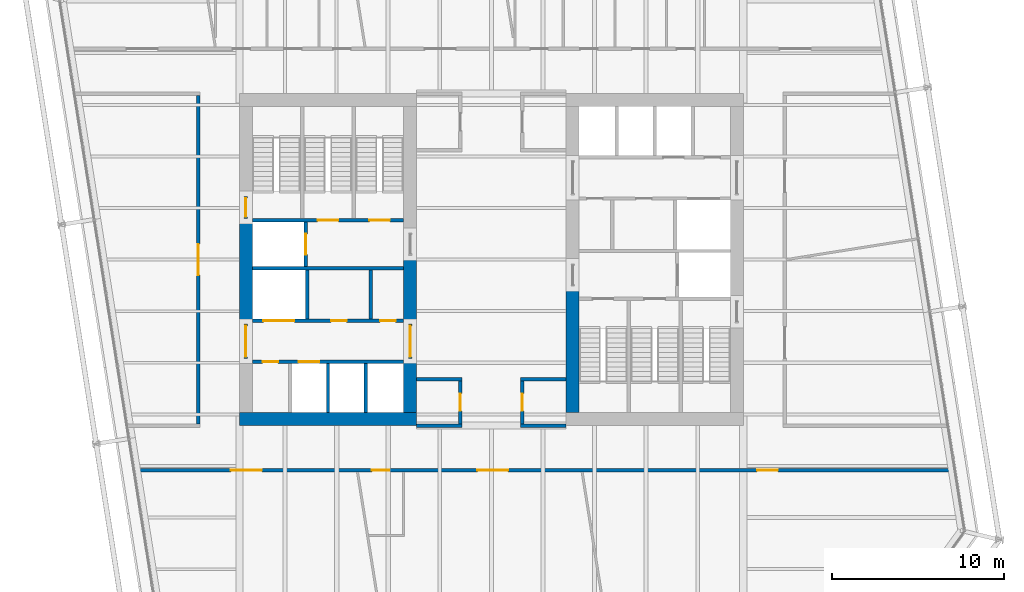
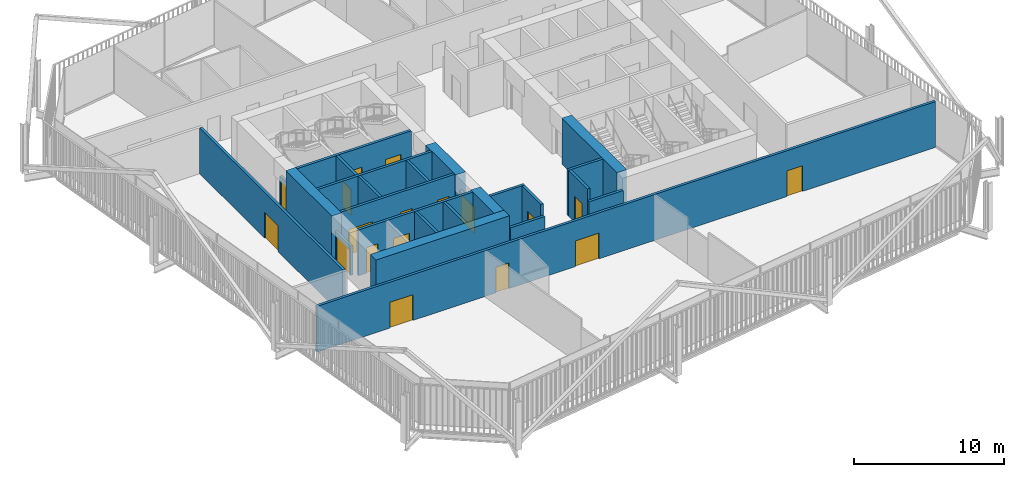
# One storey, part 18 of 22: 25 walls, 18 doors, 18 openings.
"""IFC4 building model written with IfcOpenShell, lengths in metres."""

from ifc_helpers import new_model, si_unit, direction, frame, frame_2d, origin, place, context, subcontext, project, spatial, rectangle, extrude, material, layer, layer_set, type_object, element, fill, save


model = new_model("IFC4")

# Units and contexts
model_context = context("Model", 3, precision=1e-05, world=origin(), true_north=direction((0.0, 1.0)))
body_context = subcontext(model_context, "Body", "Model", "MODEL_VIEW")
ifc_project = project(units=[si_unit("LENGTHUNIT", "METRE"), si_unit("AREAUNIT", "SQUARE_METRE"), si_unit("VOLUMEUNIT", "CUBIC_METRE"), si_unit("PLANEANGLEUNIT", "RADIAN"), si_unit("MASSUNIT", "GRAM", prefix="KILO")], contexts=[model_context])

# Site, building, storey
site_placement = place(None, origin())
site = spatial("IfcSite", under=ifc_project, at=site_placement, CompositionType="ELEMENT")
building_placement = place(site_placement, origin())
building = spatial("IfcBuilding", under=site, at=building_placement, Name="Millrace Tower", CompositionType="ELEMENT")
storey_placement = place(building_placement, frame((0.0, 0.0, 187.800048828125)))
storey = spatial("IfcBuildingStorey", under=building, at=storey_placement, Name="L42", CompositionType="ELEMENT", Elevation=187.800048828125)

# Walls
ifc_material_1 = material(Name="Concrete C70", Category="concrete")
ifc_layer_1 = layer(ifc_material_1, 0.75)
ifc_layer_set_1 = layer_set([ifc_layer_1], Name="Concrete C70")
wall_type_1 = type_object("IfcWallType", Name="Core wall 750 Concrete C70", PredefinedType="SHEAR", material=ifc_layer_set_1)
wall_1_placement = place(storey_placement, frame((-14.64990234375, -9.27490234375, 0.0), z_axis=(0.0, 0.0, 1.0), x_axis=(1.0, 0.0, 0.0)))
element("IfcWall", 1, at=wall_1_placement, inside=storey, type_object=wall_type_1, Name="Core wall W L42", PredefinedType="SHEAR", context=body_context, shape_type="SweptSolid", body=[
    extrude(rectangle(XDim=10.2998046875, YDim=0.75, at=frame_2d((5.14990234375, 0.0))), origin(), (0.0, 0.0, 1.0), 3.739990234375),
])
wall_2_placement = place(storey_placement, frame((-14.27490234375, -3.75, 0.0), z_axis=(0.0, 0.0, 1.0), x_axis=(0.0, 1.0, 0.0)))
element("IfcWall", 2, at=wall_2_placement, inside=storey, type_object=wall_type_1, Name="Core wall W L42", PredefinedType="SHEAR", context=body_context, shape_type="SweptSolid", body=[
    extrude(rectangle(XDim=6.1298828125, YDim=0.75, at=frame_2d((3.06494140625, 0.0))), origin(), (0.0, 0.0, 1.0), 3.739990234375),
])
wall_3_placement = place(storey_placement, frame((-4.72509765625, -8.89990234375, 0.0), z_axis=(0.0, 0.0, 1.0), x_axis=(0.0, 1.0, 0.0)))
element("IfcWall", 3, at=wall_3_placement, inside=storey, type_object=wall_type_1, Name="Core wall W L42", PredefinedType="SHEAR", context=body_context, shape_type="SweptSolid", body=[
    extrude(rectangle(XDim=3.14990234375, YDim=0.75, at=frame_2d((1.574951171875, 0.0))), origin(), (0.0, 0.0, 1.0), 3.739990234375),
])
wall_4_placement = place(storey_placement, frame((-4.72509765625, -3.75, 0.0), z_axis=(0.0, 0.0, 1.0), x_axis=(0.0, 1.0, 0.0)))
element("IfcWall", 4, at=wall_4_placement, inside=storey, type_object=wall_type_1, Name="Core wall W L42", PredefinedType="SHEAR", context=body_context, shape_type="SweptSolid", body=[
    extrude(rectangle(XDim=4.0, YDim=0.75, at=frame_2d((2.0, 0.0))), origin(), (0.0, 0.0, 1.0), 3.739990234375),
])
wall_5_placement = place(storey_placement, frame((4.72509765625, -1.550048828125, 0.0), z_axis=(0.0, 0.0, 1.0), x_axis=(0.0, -1.0, 0.0)))
element("IfcWall", 5, at=wall_5_placement, inside=storey, type_object=wall_type_1, Name="Core wall E L42", PredefinedType="SHEAR", context=body_context, shape_type="SweptSolid", body=[
    extrude(rectangle(XDim=7.349853515625, YDim=0.75, at=frame_2d((3.6748046875, 0.0))), origin(), (0.0, 0.0, 1.0), 3.739990234375),
])

# Wall, openings, doors
ifc_material_2 = material(Name="Masonry partition, fire-rated", Category="masonry")
ifc_layer_2 = layer(ifc_material_2, 0.199951171875)
ifc_layer_set_2 = layer_set([ifc_layer_2], Name="Masonry partition, fire-rated")
wall_type_2 = type_object("IfcWallType", Name="Corridor wall 200", PredefinedType="PARTITIONING", material=ifc_layer_set_2)
wall_6_placement = place(storey_placement, frame((-20.738525390625, -12.25, 0.0), z_axis=(0.0, 0.0, 1.0), x_axis=(1.0, 0.0, 0.0)))
wall_6 = element("IfcWall", 6, at=wall_6_placement, inside=storey, type_object=wall_type_2, Name="Corridor wall L42", PredefinedType="PARTITIONING", context=body_context, shape_type="SweptSolid", body=[
    extrude(rectangle(XDim=47.646484375, YDim=0.199951171875, at=frame_2d((23.8232421875, 0.0))), origin(), (0.0, 0.0, 1.0), 3.739990234375),
])
opening_1_placement = place(wall_6_placement, frame((5.594970703125, 0.0, 0.0)))
opening_1 = element("IfcOpeningElement", 7, at=opening_1_placement, cuts=wall_6, Name="Opening 42-P014", PredefinedType="OPENING", context=body_context, shape_type="SweptSolid", body=[
    extrude(rectangle(XDim=1.800048828125, YDim=2.10009765625, at=frame_2d((0.89990234375, 1.050048828125))), frame((0.0, 0.10986328125, 0.0), z_axis=(0.0, -1.0, 0.0), x_axis=(1.0, 0.0, 0.0)), (0.0, 0.0, 1.0), 0.219970703125),
])
opening_2_placement = place(wall_6_placement, frame((19.919921875, 0.0, 0.0)))
opening_2 = element("IfcOpeningElement", 8, at=opening_2_placement, cuts=wall_6, Name="Opening 42-P015", PredefinedType="OPENING", context=body_context, shape_type="SweptSolid", body=[
    extrude(rectangle(XDim=1.800048828125, YDim=2.10009765625, at=frame_2d((0.89990234375, 1.050048828125))), frame((0.0, 0.10986328125, 0.0), z_axis=(0.0, -1.0, 0.0), x_axis=(1.0, 0.0, 0.0)), (0.0, 0.0, 1.0), 0.219970703125),
])
opening_3_placement = place(wall_6_placement, frame((13.78955078125, 0.0, 0.0)))
opening_3 = element("IfcOpeningElement", 9, at=opening_3_placement, cuts=wall_6, Name="Opening 42-P016", PredefinedType="OPENING", context=body_context, shape_type="SweptSolid", body=[
    extrude(rectangle(XDim=1.0, YDim=2.10009765625, at=frame_2d((0.5, 1.050048828125))), frame((0.0, 0.10986328125, 0.0), z_axis=(0.0, -1.0, 0.0), x_axis=(1.0, 0.0, 0.0)), (0.0, 0.0, 1.0), 0.219970703125),
])
opening_4_placement = place(wall_6_placement, frame((36.197998046875, 0.0, 0.0)))
opening_4 = element("IfcOpeningElement", 10, at=opening_4_placement, cuts=wall_6, Name="Opening 42-P017", PredefinedType="OPENING", context=body_context, shape_type="SweptSolid", body=[
    extrude(rectangle(XDim=1.199951171875, YDim=2.10009765625, at=frame_2d((0.60009765625, 1.050048828125))), frame((0.0, 0.10986328125, 0.0), z_axis=(0.0, -1.0, 0.0), x_axis=(1.0, 0.0, 0.0)), (0.0, 0.0, 1.0), 0.219970703125),
])
ifc_material_3 = material(Name="Steel door set, fire-rated", Category="steel")
door_type_1 = type_object("IfcDoorType", Name="Corridor door 1000 x 2100", OperationType="SINGLE_SWING_LEFT", PredefinedType="DOOR", material=ifc_material_3)
door_1_placement = place(opening_3_placement, frame((1.0, 0.0, 0.0), z_axis=(0.0, 0.0, 1.0), x_axis=(-1.0, 0.0, 0.0)))
door_1 = element("IfcDoor", 11, at=door_1_placement, inside=storey, type_object=door_type_1, Name="Door 42-P016", OperationType="SINGLE_SWING_RIGHT", OverallHeight=2.10009765625, OverallWidth=1.0, PredefinedType="DOOR", context=body_context, shape_type="SweptSolid", body=[
    extrude(rectangle(XDim=1.0, YDim=2.10009765625, at=frame_2d((0.5, 1.050048828125))), frame((0.0, 0.02490234375, 0.0), z_axis=(0.0, -1.0, 0.0), x_axis=(1.0, 0.0, 0.0)), (0.0, 0.0, 1.0), 0.050048828125),
])
fill(opening_3, door_1)
ifc_material_4 = material(Name="Steel door set, fire-rated", Category="steel")
door_type_2 = type_object("IfcDoorType", Name="Corridor door 1200 x 2100", OperationType="SINGLE_SWING_LEFT", PredefinedType="DOOR", material=ifc_material_4)
door_2_placement = place(opening_4_placement, origin())
door_2 = element("IfcDoor", 12, at=door_2_placement, inside=storey, type_object=door_type_2, Name="Door 42-P017", OperationType="SINGLE_SWING_RIGHT", OverallHeight=2.10009765625, OverallWidth=1.199951171875, PredefinedType="DOOR", context=body_context, shape_type="SweptSolid", body=[
    extrude(rectangle(XDim=1.199951171875, YDim=2.10009765625, at=frame_2d((0.60009765625, 1.050048828125))), frame((0.0, 0.02490234375, 0.0), z_axis=(0.0, -1.0, 0.0), x_axis=(1.0, 0.0, 0.0)), (0.0, 0.0, 1.0), 0.050048828125),
])
fill(opening_4, door_2)
ifc_material_5 = material(Name="Steel door set, fire-rated", Category="steel")
door_type_3 = type_object("IfcDoorType", Name="Corridor door 1800 x 2100", OperationType="DOUBLE_DOOR_SINGLE_SWING", PredefinedType="DOOR", material=ifc_material_5)
door_3_placement = place(opening_1_placement, origin())
door_3 = element("IfcDoor", 13, at=door_3_placement, inside=storey, type_object=door_type_3, Name="Door 42-P014", OperationType="DOUBLE_DOOR_SINGLE_SWING", OverallHeight=2.10009765625, OverallWidth=1.800048828125, PredefinedType="DOOR", context=body_context, shape_type="SweptSolid", body=[
    extrude(rectangle(XDim=1.800048828125, YDim=2.10009765625, at=frame_2d((0.89990234375, 1.050048828125))), frame((0.0, 0.02490234375, 0.0), z_axis=(0.0, -1.0, 0.0), x_axis=(1.0, 0.0, 0.0)), (0.0, 0.0, 1.0), 0.050048828125),
])
fill(opening_1, door_3)
door_4_placement = place(opening_2_placement, frame((1.800048828125, 0.0, 0.0), z_axis=(0.0, 0.0, 1.0), x_axis=(-1.0, 0.0, 0.0)))
door_4 = element("IfcDoor", 14, at=door_4_placement, inside=storey, type_object=door_type_3, Name="Door 42-P015", OperationType="DOUBLE_DOOR_SINGLE_SWING", OverallHeight=2.10009765625, OverallWidth=1.800048828125, PredefinedType="DOOR", context=body_context, shape_type="SweptSolid", body=[
    extrude(rectangle(XDim=1.800048828125, YDim=2.10009765625, at=frame_2d((0.89990234375, 1.050048828125))), frame((0.0, 0.02490234375, 0.0), z_axis=(0.0, -1.0, 0.0), x_axis=(1.0, 0.0, 0.0)), (0.0, 0.0, 1.0), 0.050048828125),
])
fill(opening_2, door_4)

# Walls
for number, where, z_axis, x_axis, name in (
    (15, (-4.35009765625, -9.64990234375, 0.0), (0.0, 0.0, 1.0), (1.0, 0.0, 0.0), "Corridor wall L42"),
    (16, (1.699951171875, -9.64990234375, 0.0), (0.0, 0.0, 1.0), (1.0, 0.0, 0.0), "Corridor wall L42"),
):
    element("IfcWall", number, at=place(storey_placement, frame(where, z_axis=z_axis, x_axis=x_axis)), inside=storey, type_object=wall_type_2, Name=name, PredefinedType="PARTITIONING", context=body_context, shape_type="SweptSolid", body=[
        extrude(rectangle(XDim=2.650146484375, YDim=0.199951171875, at=frame_2d((1.3251953125, 0.0))), origin(), (0.0, 0.0, 1.0), 2.812744140625),
    ])
for number, where, z_axis, x_axis, name in (
    (17, (-4.35009765625, -6.949951171875, 0.0), (0.0, 0.0, 1.0), (1.0, 0.0, 0.0), "Corridor wall L42"),
    (18, (1.699951171875, -6.949951171875, 0.0), (0.0, 0.0, 1.0), (1.0, 0.0, 0.0), "Corridor wall L42"),
):
    element("IfcWall", number, at=place(storey_placement, frame(where, z_axis=z_axis, x_axis=x_axis)), inside=storey, type_object=wall_type_2, Name=name, PredefinedType="PARTITIONING", context=body_context, shape_type="SweptSolid", body=[
        extrude(rectangle(XDim=2.650146484375, YDim=0.199951171875, at=frame_2d((1.3251953125, 0.0))), origin(), (0.0, 0.0, 1.0), 3.739990234375),
    ])

# Wall, opening, door
wall_7_placement = place(storey_placement, frame((1.800048828125, -9.550048828125, 0.0), z_axis=(0.0, 0.0, 1.0), x_axis=(0.0, 1.0, 0.0)))
wall_7 = element("IfcWall", 19, at=wall_7_placement, inside=storey, type_object=wall_type_2, Name="Corridor wall L42", PredefinedType="PARTITIONING", context=body_context, shape_type="SweptSolid", body=[
    extrude(rectangle(XDim=2.5, YDim=0.199951171875, at=frame_2d((1.25, 0.0))), origin(), (0.0, 0.0, 1.0), 3.739990234375),
])
opening_5_placement = place(wall_7_placement, frame((0.75, 0.0, 0.0)))
opening_5 = element("IfcOpeningElement", 20, at=opening_5_placement, cuts=wall_7, Name="Opening 42-P004", PredefinedType="OPENING", context=body_context, shape_type="SweptSolid", body=[
    extrude(rectangle(XDim=1.0, YDim=2.10009765625, at=frame_2d((0.5, 1.050048828125))), frame((0.0, 0.10986328125, 0.0), z_axis=(0.0, -1.0, 0.0), x_axis=(1.0, 0.0, 0.0)), (0.0, 0.0, 1.0), 0.219970703125),
])
door_5_placement = place(opening_5_placement, frame((1.0, 0.0, 0.0), z_axis=(0.0, 0.0, 1.0), x_axis=(-1.0, 0.0, 0.0)))
door_5 = element("IfcDoor", 21, at=door_5_placement, inside=storey, type_object=door_type_1, Name="Door 42-P004", OperationType="SINGLE_SWING_LEFT", OverallHeight=2.10009765625, OverallWidth=1.0, PredefinedType="DOOR", context=body_context, shape_type="SweptSolid", body=[
    extrude(rectangle(XDim=1.0, YDim=2.10009765625, at=frame_2d((0.5, 1.050048828125))), frame((0.0, 0.02490234375, 0.0), z_axis=(0.0, -1.0, 0.0), x_axis=(1.0, 0.0, 0.0)), (0.0, 0.0, 1.0), 0.050048828125),
])
fill(opening_5, door_5)

wall_8_placement = place(storey_placement, frame((-1.800048828125, -9.550048828125, 0.0), z_axis=(0.0, 0.0, 1.0), x_axis=(0.0, 1.0, 0.0)))
wall_8 = element("IfcWall", 22, at=wall_8_placement, inside=storey, type_object=wall_type_2, Name="Corridor wall L42", PredefinedType="PARTITIONING", context=body_context, shape_type="SweptSolid", body=[
    extrude(rectangle(XDim=2.5, YDim=0.199951171875, at=frame_2d((1.25, 0.0))), origin(), (0.0, 0.0, 1.0), 3.739990234375),
])
opening_6_placement = place(wall_8_placement, frame((0.75, 0.0, 0.0)))
opening_6 = element("IfcOpeningElement", 23, at=opening_6_placement, cuts=wall_8, Name="Opening 42-P003", PredefinedType="OPENING", context=body_context, shape_type="SweptSolid", body=[
    extrude(rectangle(XDim=1.0, YDim=2.10009765625, at=frame_2d((0.5, 1.050048828125))), frame((0.0, 0.10986328125, 0.0), z_axis=(0.0, -1.0, 0.0), x_axis=(1.0, 0.0, 0.0)), (0.0, 0.0, 1.0), 0.219970703125),
])
door_6_placement = place(opening_6_placement, origin())
door_6 = element("IfcDoor", 24, at=door_6_placement, inside=storey, type_object=door_type_1, Name="Door 42-P003", OperationType="SINGLE_SWING_RIGHT", OverallHeight=2.10009765625, OverallWidth=1.0, PredefinedType="DOOR", context=body_context, shape_type="SweptSolid", body=[
    extrude(rectangle(XDim=1.0, YDim=2.10009765625, at=frame_2d((0.5, 1.050048828125))), frame((0.0, 0.02490234375, 0.0), z_axis=(0.0, -1.0, 0.0), x_axis=(1.0, 0.0, 0.0)), (0.0, 0.0, 1.0), 0.050048828125),
])
fill(opening_6, door_6)

wall_9_placement = place(storey_placement, frame((-17.050048828125, -9.550048828125, 0.0), z_axis=(0.0, 0.0, 1.0), x_axis=(0.0, 1.0, 0.0)))
wall_9 = element("IfcWall", 25, at=wall_9_placement, inside=storey, type_object=wall_type_2, Name="Corridor wall L42", PredefinedType="PARTITIONING", context=body_context, shape_type="SweptSolid", body=[
    extrude(rectangle(XDim=19.10009765625, YDim=0.199951171875, at=frame_2d((9.550048828125, 0.0))), origin(), (0.0, 0.0, 1.0), 3.739990234375),
])
opening_7_placement = place(wall_9_placement, frame((8.64990234375, 0.0, 0.0)))
opening_7 = element("IfcOpeningElement", 26, at=opening_7_placement, cuts=wall_9, Name="Opening 42-P018", PredefinedType="OPENING", context=body_context, shape_type="SweptSolid", body=[
    extrude(rectangle(XDim=1.800048828125, YDim=2.10009765625, at=frame_2d((0.89990234375, 1.050048828125))), frame((0.0, 0.10986328125, 0.0), z_axis=(0.0, -1.0, 0.0), x_axis=(1.0, 0.0, 0.0)), (0.0, 0.0, 1.0), 0.219970703125),
])
door_7_placement = place(opening_7_placement, origin())
door_7 = element("IfcDoor", 27, at=door_7_placement, inside=storey, type_object=door_type_3, Name="Door 42-P018", OperationType="DOUBLE_DOOR_SINGLE_SWING", OverallHeight=2.10009765625, OverallWidth=1.800048828125, PredefinedType="DOOR", context=body_context, shape_type="SweptSolid", body=[
    extrude(rectangle(XDim=1.800048828125, YDim=2.10009765625, at=frame_2d((0.89990234375, 1.050048828125))), frame((0.0, 0.02490234375, 0.0), z_axis=(0.0, -1.0, 0.0), x_axis=(1.0, 0.0, 0.0)), (0.0, 0.0, 1.0), 0.050048828125),
])
fill(opening_7, door_7)

# Wall, openings, doors
ifc_material_6 = material(Name="Masonry partition, fire-rated", Category="masonry")
ifc_layer_3 = layer(ifc_material_6, 0.199951171875)
ifc_layer_set_3 = layer_set([ifc_layer_3], Name="Masonry partition, fire-rated")
wall_type_3 = type_object("IfcWallType", Name="Lift shaft wall 200", PredefinedType="PARTITIONING", material=ifc_layer_set_3)
wall_10_placement = place(storey_placement, frame((-13.89990234375, -5.949951171875, 0.0), z_axis=(0.0, 0.0, 1.0), x_axis=(1.0, 0.0, 0.0)))
wall_10 = element("IfcWall", 28, at=wall_10_placement, inside=storey, type_object=wall_type_3, Name="Lift shaft wall W L42", PredefinedType="PARTITIONING", context=body_context, shape_type="SweptSolid", body=[
    extrude(rectangle(XDim=8.7998046875, YDim=0.199951171875, at=frame_2d((4.39990234375, 0.0))), origin(), (0.0, 0.0, 1.0), 3.739990234375),
])
opening_8_placement = place(wall_10_placement, frame((2.699951171875, 0.0, 0.0)))
opening_8 = element("IfcOpeningElement", 29, at=opening_8_placement, cuts=wall_10, Name="Opening 42-LD02", PredefinedType="OPENING", context=body_context, shape_type="SweptSolid", body=[
    extrude(rectangle(XDim=1.199951171875, YDim=2.10009765625, at=frame_2d((0.60009765625, 1.050048828125))), frame((0.0, 0.10986328125, 0.0), z_axis=(0.0, -1.0, 0.0), x_axis=(1.0, 0.0, 0.0)), (0.0, 0.0, 1.0), 0.219970703125),
])
opening_9_placement = place(wall_10_placement, frame((0.60009765625, 0.0, 0.0)))
opening_9 = element("IfcOpeningElement", 30, at=opening_9_placement, cuts=wall_10, Name="Opening 42-C005", PredefinedType="OPENING", context=body_context, shape_type="SweptSolid", body=[
    extrude(rectangle(XDim=0.89990234375, YDim=2.10009765625, at=frame_2d((0.449951171875, 1.050048828125))), frame((0.0, 0.10986328125, 0.0), z_axis=(0.0, -1.0, 0.0), x_axis=(1.0, 0.0, 0.0)), (0.0, 0.0, 1.0), 0.219970703125),
])
ifc_material_7 = material(Name="Stainless steel, fire-rated", Category="steel")
door_type_4 = type_object("IfcDoorType", Name="Lift landing door 1200 x 2100", OperationType="DOUBLE_DOOR_SLIDING", PredefinedType="DOOR", material=ifc_material_7)
door_8_placement = place(opening_8_placement, origin())
door_8 = element("IfcDoor", 31, at=door_8_placement, inside=storey, type_object=door_type_4, Name="Lift landing door LF2 L42", OperationType="DOUBLE_DOOR_SLIDING", OverallHeight=2.10009765625, OverallWidth=1.199951171875, PredefinedType="DOOR", context=body_context, shape_type="SweptSolid", body=[
    extrude(rectangle(XDim=1.199951171875, YDim=2.10009765625, at=frame_2d((0.60009765625, 1.050048828125))), frame((0.0, 0.02490234375, 0.0), z_axis=(0.0, -1.0, 0.0), x_axis=(1.0, 0.0, 0.0)), (0.0, 0.0, 1.0), 0.050048828125),
])
fill(opening_8, door_8)
ifc_material_8 = material(Name="Steel door, fire-rated", Category="steel")
door_type_5 = type_object("IfcDoorType", Name="Service room door 900 x 2100", OperationType="SINGLE_SWING_LEFT", PredefinedType="DOOR", material=ifc_material_8)
door_9_placement = place(opening_9_placement, frame((0.89990234375, 0.0, 0.0), z_axis=(0.0, 0.0, 1.0), x_axis=(-1.0, 0.0, 0.0)))
door_9 = element("IfcDoor", 32, at=door_9_placement, inside=storey, type_object=door_type_5, Name="Service room door 42-C005", OperationType="SINGLE_SWING_RIGHT", OverallHeight=2.10009765625, OverallWidth=0.89990234375, PredefinedType="DOOR", context=body_context, shape_type="SweptSolid", body=[
    extrude(rectangle(XDim=0.89990234375, YDim=2.10009765625, at=frame_2d((0.449951171875, 1.050048828125))), frame((0.0, 0.02490234375, 0.0), z_axis=(0.0, -1.0, 0.0), x_axis=(1.0, 0.0, 0.0)), (0.0, 0.0, 1.0), 0.050048828125),
])
fill(opening_9, door_9)

wall_11_placement = place(storey_placement, frame((-13.89990234375, -3.550048828125, 0.0), z_axis=(0.0, 0.0, 1.0), x_axis=(1.0, 0.0, 0.0)))
wall_11 = element("IfcWall", 33, at=wall_11_placement, inside=storey, type_object=wall_type_3, Name="Lift shaft wall W L42", PredefinedType="PARTITIONING", context=body_context, shape_type="SweptSolid", body=[
    extrude(rectangle(XDim=8.7998046875, YDim=0.199951171875, at=frame_2d((4.39990234375, 0.0))), origin(), (0.0, 0.0, 1.0), 3.739990234375),
])
opening_10_placement = place(wall_11_placement, frame((0.64990234375, 0.0, 0.0)))
opening_10 = element("IfcOpeningElement", 34, at=opening_10_placement, cuts=wall_11, Name="Opening 42-LD05", PredefinedType="OPENING", context=body_context, shape_type="SweptSolid", body=[
    extrude(rectangle(XDim=1.800048828125, YDim=2.10009765625, at=frame_2d((0.89990234375, 1.050048828125))), frame((0.0, 0.10986328125, 0.0), z_axis=(0.0, -1.0, 0.0), x_axis=(1.0, 0.0, 0.0)), (0.0, 0.0, 1.0), 0.219970703125),
])
opening_11_placement = place(wall_11_placement, frame((4.58740234375, 0.0, 0.0)))
opening_11 = element("IfcOpeningElement", 35, at=opening_11_placement, cuts=wall_11, Name="Opening 42-C006", PredefinedType="OPENING", context=body_context, shape_type="SweptSolid", body=[
    extrude(rectangle(XDim=0.89990234375, YDim=2.10009765625, at=frame_2d((0.449951171875, 1.050048828125))), frame((0.0, 0.10986328125, 0.0), z_axis=(0.0, -1.0, 0.0), x_axis=(1.0, 0.0, 0.0)), (0.0, 0.0, 1.0), 0.219970703125),
])
opening_12_placement = place(wall_11_placement, frame((7.4375, 0.0, 0.0)))
opening_12 = element("IfcOpeningElement", 36, at=opening_12_placement, cuts=wall_11, Name="Opening 42-C007", PredefinedType="OPENING", context=body_context, shape_type="SweptSolid", body=[
    extrude(rectangle(XDim=0.89990234375, YDim=2.10009765625, at=frame_2d((0.449951171875, 1.050048828125))), frame((0.0, 0.10986328125, 0.0), z_axis=(0.0, -1.0, 0.0), x_axis=(1.0, 0.0, 0.0)), (0.0, 0.0, 1.0), 0.219970703125),
])
ifc_material_9 = material(Name="Stainless steel, fire-rated", Category="steel")
door_type_6 = type_object("IfcDoorType", Name="Lift landing door 1800 x 2100", OperationType="DOUBLE_DOOR_SLIDING", PredefinedType="DOOR", material=ifc_material_9)
door_10_placement = place(opening_10_placement, origin())
door_10 = element("IfcDoor", 37, at=door_10_placement, inside=storey, type_object=door_type_6, Name="Lift landing door LF5 L42", OperationType="DOUBLE_DOOR_SLIDING", OverallHeight=2.10009765625, OverallWidth=1.800048828125, PredefinedType="DOOR", context=body_context, shape_type="SweptSolid", body=[
    extrude(rectangle(XDim=1.800048828125, YDim=2.10009765625, at=frame_2d((0.89990234375, 1.050048828125))), frame((0.0, 0.02490234375, 0.0), z_axis=(0.0, -1.0, 0.0), x_axis=(1.0, 0.0, 0.0)), (0.0, 0.0, 1.0), 0.050048828125),
])
fill(opening_10, door_10)
door_11_placement = place(opening_11_placement, origin())
door_11 = element("IfcDoor", 38, at=door_11_placement, inside=storey, type_object=door_type_5, Name="Service room door 42-C006", OperationType="SINGLE_SWING_RIGHT", OverallHeight=2.10009765625, OverallWidth=0.89990234375, PredefinedType="DOOR", context=body_context, shape_type="SweptSolid", body=[
    extrude(rectangle(XDim=0.89990234375, YDim=2.10009765625, at=frame_2d((0.449951171875, 1.050048828125))), frame((0.0, 0.02490234375, 0.0), z_axis=(0.0, -1.0, 0.0), x_axis=(1.0, 0.0, 0.0)), (0.0, 0.0, 1.0), 0.050048828125),
])
fill(opening_11, door_11)
door_12_placement = place(opening_12_placement, origin())
door_12 = element("IfcDoor", 39, at=door_12_placement, inside=storey, type_object=door_type_5, Name="Service room door 42-C007", OperationType="SINGLE_SWING_RIGHT", OverallHeight=2.10009765625, OverallWidth=0.89990234375, PredefinedType="DOOR", context=body_context, shape_type="SweptSolid", body=[
    extrude(rectangle(XDim=0.89990234375, YDim=2.10009765625, at=frame_2d((0.449951171875, 1.050048828125))), frame((0.0, 0.02490234375, 0.0), z_axis=(0.0, -1.0, 0.0), x_axis=(1.0, 0.0, 0.0)), (0.0, 0.0, 1.0), 0.050048828125),
])
fill(opening_12, door_12)

# Wall
wall_12_placement = place(storey_placement, frame((-13.89990234375, -0.5, 0.0), z_axis=(0.0, 0.0, 1.0), x_axis=(1.0, 0.0, 0.0)))
element("IfcWall", 40, at=wall_12_placement, inside=storey, type_object=wall_type_3, Name="Lift shaft wall W L42", PredefinedType="PARTITIONING", context=body_context, shape_type="SweptSolid", body=[
    extrude(rectangle(XDim=8.7998046875, YDim=0.199951171875, at=frame_2d((4.39990234375, 0.0))), origin(), (0.0, 0.0, 1.0), 3.739990234375),
])

# Wall, opening, door
wall_13_placement = place(storey_placement, frame((-10.800048828125, -0.39990234375, 0.0), z_axis=(0.0, 0.0, 1.0), x_axis=(0.0, 1.0, 0.0)))
wall_13 = element("IfcWall", 41, at=wall_13_placement, inside=storey, type_object=wall_type_3, Name="Lift shaft wall W L42", PredefinedType="PARTITIONING", context=body_context, shape_type="SweptSolid", body=[
    extrude(rectangle(XDim=2.579833984375, YDim=0.199951171875, at=frame_2d((1.2900390625, 0.0))), origin(), (0.0, 0.0, 1.0), 3.739990234375),
])
opening_13_placement = place(wall_13_placement, frame((0.68994140625, 0.0, 0.0)))
opening_13 = element("IfcOpeningElement", 42, at=opening_13_placement, cuts=wall_13, Name="Opening 42-LD08", PredefinedType="OPENING", context=body_context, shape_type="SweptSolid", body=[
    extrude(rectangle(XDim=1.199951171875, YDim=2.10009765625, at=frame_2d((0.60009765625, 1.050048828125))), frame((0.0, 0.10986328125, 0.0), z_axis=(0.0, -1.0, 0.0), x_axis=(1.0, 0.0, 0.0)), (0.0, 0.0, 1.0), 0.219970703125),
])
door_13_placement = place(opening_13_placement, origin())
door_13 = element("IfcDoor", 43, at=door_13_placement, inside=storey, type_object=door_type_4, Name="Lift landing door LF8 L42", OperationType="DOUBLE_DOOR_SLIDING", OverallHeight=2.10009765625, OverallWidth=1.199951171875, PredefinedType="DOOR", context=body_context, shape_type="SweptSolid", body=[
    extrude(rectangle(XDim=1.199951171875, YDim=2.10009765625, at=frame_2d((0.60009765625, 1.050048828125))), frame((0.0, 0.02490234375, 0.0), z_axis=(0.0, -1.0, 0.0), x_axis=(1.0, 0.0, 0.0)), (0.0, 0.0, 1.0), 0.050048828125),
])
fill(opening_13, door_13)

# Walls
for number, where, z_axis, x_axis, name in (
    (44, (-9.5, -8.89990234375, 0.0), (0.0, 0.0, 1.0), (0.0, 1.0, 0.0), "Lift shaft wall W L42"),
    (45, (-7.300048828125, -8.89990234375, 0.0), (0.0, 0.0, 1.0), (0.0, 1.0, 0.0), "Lift shaft wall W L42"),
    (46, (-10.699951171875, -3.449951171875, 0.0), (0.0, 0.0, 1.0), (0.0, 1.0, 0.0), "Lift shaft wall W L42"),
):
    element("IfcWall", number, at=place(storey_placement, frame(where, z_axis=z_axis, x_axis=x_axis)), inside=storey, type_object=wall_type_3, Name=name, PredefinedType="PARTITIONING", context=body_context, shape_type="SweptSolid", body=[
        extrude(rectangle(XDim=2.849853515625, YDim=0.199951171875, at=frame_2d((1.4248046875, 0.0))), origin(), (0.0, 0.0, 1.0), 3.739990234375),
    ])

# Wall, opening, door
ifc_material_10 = material(Name="Masonry partition, fire-rated", Category="masonry")
ifc_layer_4 = layer(ifc_material_10, 0.199951171875)
ifc_layer_set_4 = layer_set([ifc_layer_4], Name="Masonry partition, fire-rated")
wall_type_4 = type_object("IfcWallType", Name="Lobby wall 200", PredefinedType="PARTITIONING", material=ifc_layer_set_4)
wall_14_placement = place(storey_placement, frame((-14.27490234375, -5.75, 0.0), z_axis=(0.0, 0.0, 1.0), x_axis=(0.0, 1.0, 0.0)))
wall_14 = element("IfcWall", 47, at=wall_14_placement, inside=storey, type_object=wall_type_4, Name="Lobby wall W L42", PredefinedType="PARTITIONING", context=body_context, shape_type="SweptSolid", body=[
    extrude(rectangle(XDim=2.0, YDim=0.199951171875, at=frame_2d((1.0, 0.0))), origin(), (0.0, 0.0, 1.0), 2.39990234375),
])
opening_14_placement = place(wall_14_placement, frame((0.10009765625, 0.0, 0.0)))
opening_14 = element("IfcOpeningElement", 48, at=opening_14_placement, cuts=wall_14, Name="Opening 42-C001", PredefinedType="OPENING", context=body_context, shape_type="SweptSolid", body=[
    extrude(rectangle(XDim=1.800048828125, YDim=2.10009765625, at=frame_2d((0.89990234375, 1.050048828125))), frame((0.0, 0.10986328125, 0.0), z_axis=(0.0, -1.0, 0.0), x_axis=(1.0, 0.0, 0.0)), (0.0, 0.0, 1.0), 0.219970703125),
])
ifc_material_11 = material(Name="Steel door, fire-rated", Category="steel")
door_type_7 = type_object("IfcDoorType", Name="Lobby door 1800 x 2100", OperationType="DOUBLE_DOOR_SINGLE_SWING", PredefinedType="DOOR", material=ifc_material_11)
door_14_placement = place(opening_14_placement, origin())
door_14 = element("IfcDoor", 49, at=door_14_placement, inside=storey, type_object=door_type_7, Name="Lobby door 42-C001", OperationType="DOUBLE_DOOR_SINGLE_SWING", OverallHeight=2.10009765625, OverallWidth=1.800048828125, PredefinedType="DOOR", context=body_context, shape_type="SweptSolid", body=[
    extrude(rectangle(XDim=1.800048828125, YDim=2.10009765625, at=frame_2d((0.89990234375, 1.050048828125))), frame((0.0, 0.02490234375, 0.0), z_axis=(0.0, -1.0, 0.0), x_axis=(1.0, 0.0, 0.0)), (0.0, 0.0, 1.0), 0.050048828125),
])
fill(opening_14, door_14)

wall_15_placement = place(storey_placement, frame((-4.72509765625, -5.75, 0.0), z_axis=(0.0, 0.0, 1.0), x_axis=(0.0, 1.0, 0.0)))
wall_15 = element("IfcWall", 50, at=wall_15_placement, inside=storey, type_object=wall_type_4, Name="Lobby wall W L42", PredefinedType="PARTITIONING", context=body_context, shape_type="SweptSolid", body=[
    extrude(rectangle(XDim=2.0, YDim=0.199951171875, at=frame_2d((1.0, 0.0))), origin(), (0.0, 0.0, 1.0), 2.39990234375),
])
opening_15_placement = place(wall_15_placement, frame((0.10009765625, 0.0, 0.0)))
opening_15 = element("IfcOpeningElement", 51, at=opening_15_placement, cuts=wall_15, Name="Opening 42-C003", PredefinedType="OPENING", context=body_context, shape_type="SweptSolid", body=[
    extrude(rectangle(XDim=1.800048828125, YDim=2.10009765625, at=frame_2d((0.89990234375, 1.050048828125))), frame((0.0, 0.10986328125, 0.0), z_axis=(0.0, -1.0, 0.0), x_axis=(1.0, 0.0, 0.0)), (0.0, 0.0, 1.0), 0.219970703125),
])
door_15_placement = place(opening_15_placement, origin())
door_15 = element("IfcDoor", 52, at=door_15_placement, inside=storey, type_object=door_type_7, Name="Lobby door 42-C003", OperationType="DOUBLE_DOOR_SINGLE_SWING", OverallHeight=2.10009765625, OverallWidth=1.800048828125, PredefinedType="DOOR", context=body_context, shape_type="SweptSolid", body=[
    extrude(rectangle(XDim=1.800048828125, YDim=2.10009765625, at=frame_2d((0.89990234375, 1.050048828125))), frame((0.0, 0.02490234375, 0.0), z_axis=(0.0, -1.0, 0.0), x_axis=(1.0, 0.0, 0.0)), (0.0, 0.0, 1.0), 0.050048828125),
])
fill(opening_15, door_15)

# Wall
ifc_material_12 = material(Name="Masonry partition, fire-rated", Category="masonry")
ifc_layer_5 = layer(ifc_material_12, 0.199951171875)
ifc_layer_set_5 = layer_set([ifc_layer_5], Name="Masonry partition, fire-rated")
wall_type_5 = type_object("IfcWallType", Name="Room partition 200", PredefinedType="PARTITIONING", material=ifc_layer_set_5)
wall_16_placement = place(storey_placement, frame((-7.02490234375, -3.449951171875, 0.0), z_axis=(0.0, 0.0, 1.0), x_axis=(0.0, 1.0, 0.0)))
element("IfcWall", 53, at=wall_16_placement, inside=storey, type_object=wall_type_5, Name="Room partition W L42", PredefinedType="PARTITIONING", context=body_context, shape_type="SweptSolid", body=[
    extrude(rectangle(XDim=2.849853515625, YDim=0.199951171875, at=frame_2d((1.4248046875, 0.0))), origin(), (0.0, 0.0, 1.0), 3.739990234375),
])

# Wall, opening, door
ifc_material_13 = material(Name="Concrete C40", Category="concrete")
ifc_layer_6 = layer(ifc_material_13, 0.199951171875)
ifc_layer_set_6 = layer_set([ifc_layer_6], Name="Concrete C40")
wall_type_6 = type_object("IfcWallType", Name="Stair enclosure wall 200 Concrete C40", PredefinedType="SHEAR", material=ifc_layer_set_6)
wall_17_placement = place(storey_placement, frame((-14.27490234375, 2.3798828125, 0.0), z_axis=(0.0, 0.0, 1.0), x_axis=(0.0, 1.0, 0.0)))
wall_17 = element("IfcWall", 54, at=wall_17_placement, inside=storey, type_object=wall_type_6, Name="Stair enclosure wall W L42", PredefinedType="SHEAR", context=body_context, shape_type="SweptSolid", body=[
    extrude(rectangle(XDim=1.300048828125, YDim=0.199951171875, at=frame_2d((0.64990234375, 0.0))), origin(), (0.0, 0.0, 1.0), 2.39990234375),
])
opening_16_placement = place(wall_17_placement, frame((0.10009765625, 0.0, 0.0)))
opening_16 = element("IfcOpeningElement", 55, at=opening_16_placement, cuts=wall_17, Name="Opening 42-C002", PredefinedType="OPENING", context=body_context, shape_type="SweptSolid", body=[
    extrude(rectangle(XDim=1.10009765625, YDim=2.10009765625, at=frame_2d((0.550048828125, 1.050048828125))), frame((0.0, 0.10986328125, 0.0), z_axis=(0.0, -1.0, 0.0), x_axis=(1.0, 0.0, 0.0)), (0.0, 0.0, 1.0), 0.219970703125),
])
ifc_material_14 = material(Name="Steel door, fire-rated", Category="steel")
door_type_8 = type_object("IfcDoorType", Name="Stair door 1100 x 2100", OperationType="SINGLE_SWING_LEFT", PredefinedType="DOOR", material=ifc_material_14)
door_16_placement = place(opening_16_placement, origin())
door_16 = element("IfcDoor", 56, at=door_16_placement, inside=storey, type_object=door_type_8, Name="Stair door 42-C002", OperationType="SINGLE_SWING_RIGHT", OverallHeight=2.10009765625, OverallWidth=1.10009765625, PredefinedType="DOOR", context=body_context, shape_type="SweptSolid", body=[
    extrude(rectangle(XDim=1.10009765625, YDim=2.10009765625, at=frame_2d((0.550048828125, 1.050048828125))), frame((0.0, 0.02490234375, 0.0), z_axis=(0.0, -1.0, 0.0), x_axis=(1.0, 0.0, 0.0)), (0.0, 0.0, 1.0), 0.050048828125),
])
fill(opening_16, door_16)

# Wall, openings, doors
wall_18_placement = place(storey_placement, frame((-13.89990234375, 2.280029296875, 0.0), z_axis=(0.0, 0.0, 1.0), x_axis=(1.0, 0.0, 0.0)))
wall_18 = element("IfcWall", 57, at=wall_18_placement, inside=storey, type_object=wall_type_6, Name="Stair enclosure wall W L42", PredefinedType="SHEAR", context=body_context, shape_type="SweptSolid", body=[
    extrude(rectangle(XDim=8.7998046875, YDim=0.199951171875, at=frame_2d((4.39990234375, 0.0))), origin(), (0.0, 0.0, 1.0), 3.739990234375),
])
opening_17_placement = place(wall_18_placement, frame((3.800048828125, 0.0, 0.0)))
opening_17 = element("IfcOpeningElement", 58, at=opening_17_placement, cuts=wall_18, Name="Opening 42-C008", PredefinedType="OPENING", context=body_context, shape_type="SweptSolid", body=[
    extrude(rectangle(XDim=1.199951171875, YDim=2.10009765625, at=frame_2d((0.60009765625, 1.050048828125))), frame((0.0, 0.10986328125, 0.0), z_axis=(0.0, -1.0, 0.0), x_axis=(1.0, 0.0, 0.0)), (0.0, 0.0, 1.0), 0.219970703125),
])
opening_18_placement = place(wall_18_placement, frame((6.800048828125, 0.0, 0.0)))
opening_18 = element("IfcOpeningElement", 59, at=opening_18_placement, cuts=wall_18, Name="Opening 42-C009", PredefinedType="OPENING", context=body_context, shape_type="SweptSolid", body=[
    extrude(rectangle(XDim=1.199951171875, YDim=2.10009765625, at=frame_2d((0.60009765625, 1.050048828125))), frame((0.0, 0.10986328125, 0.0), z_axis=(0.0, -1.0, 0.0), x_axis=(1.0, 0.0, 0.0)), (0.0, 0.0, 1.0), 0.219970703125),
])
ifc_material_15 = material(Name="Steel door, fire-rated", Category="steel")
door_type_9 = type_object("IfcDoorType", Name="Stair door 1200 x 2100", OperationType="SINGLE_SWING_LEFT", PredefinedType="DOOR", material=ifc_material_15)
door_17_placement = place(opening_17_placement, frame((1.199951171875, 0.0, 0.0), z_axis=(0.0, 0.0, 1.0), x_axis=(-1.0, 0.0, 0.0)))
door_17 = element("IfcDoor", 60, at=door_17_placement, inside=storey, type_object=door_type_9, Name="Stair door 42-C008", OperationType="SINGLE_SWING_LEFT", OverallHeight=2.10009765625, OverallWidth=1.199951171875, PredefinedType="DOOR", context=body_context, shape_type="SweptSolid", body=[
    extrude(rectangle(XDim=1.199951171875, YDim=2.10009765625, at=frame_2d((0.60009765625, 1.050048828125))), frame((0.0, 0.02490234375, 0.0), z_axis=(0.0, -1.0, 0.0), x_axis=(1.0, 0.0, 0.0)), (0.0, 0.0, 1.0), 0.050048828125),
])
fill(opening_17, door_17)
door_18_placement = place(opening_18_placement, frame((1.199951171875, 0.0, 0.0), z_axis=(0.0, 0.0, 1.0), x_axis=(-1.0, 0.0, 0.0)))
door_18 = element("IfcDoor", 61, at=door_18_placement, inside=storey, type_object=door_type_9, Name="Stair door 42-C009", OperationType="SINGLE_SWING_LEFT", OverallHeight=2.10009765625, OverallWidth=1.199951171875, PredefinedType="DOOR", context=body_context, shape_type="SweptSolid", body=[
    extrude(rectangle(XDim=1.199951171875, YDim=2.10009765625, at=frame_2d((0.60009765625, 1.050048828125))), frame((0.0, 0.02490234375, 0.0), z_axis=(0.0, -1.0, 0.0), x_axis=(1.0, 0.0, 0.0)), (0.0, 0.0, 1.0), 0.050048828125),
])
fill(opening_18, door_18)

save(model, "model.ifc")
